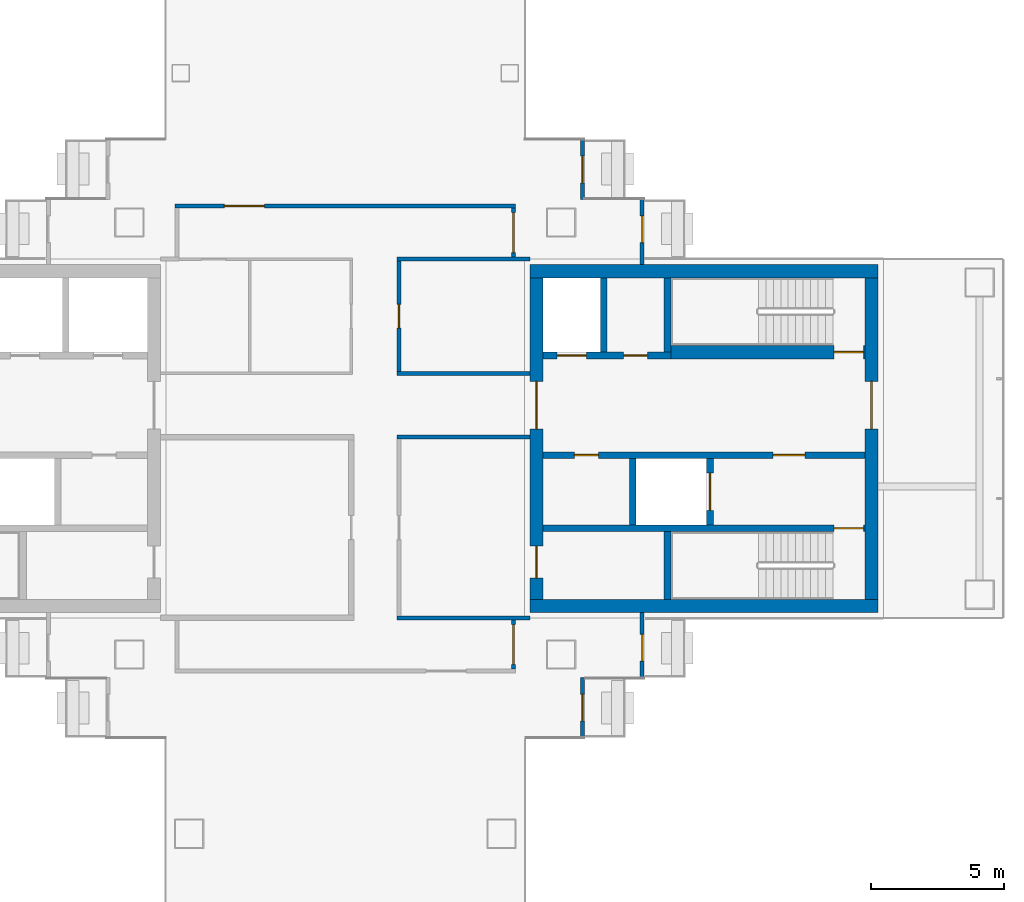
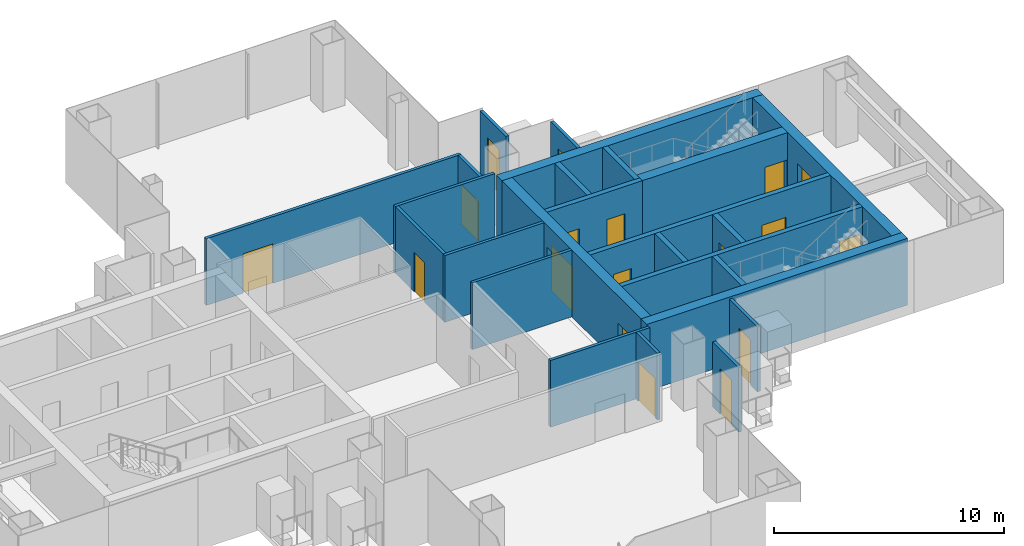
# One storey, part 12 of 16: 25 walls, 18 doors, 18 openings.
"""IFC4 building model written with IfcOpenShell, lengths in metres."""

from ifc_helpers import new_model, si_unit, direction, frame, frame_2d, origin, place, context, subcontext, project, spatial, rectangle, extrude, material, layer, layer_set, type_object, element, fill, save


model = new_model("IFC4")

# Units and contexts
model_context = context("Model", 3, precision=1e-05, world=origin(), true_north=direction((0.0, 1.0)))
body_context = subcontext(model_context, "Body", "Model", "MODEL_VIEW")
ifc_project = project(units=[si_unit("LENGTHUNIT", "METRE"), si_unit("AREAUNIT", "SQUARE_METRE"), si_unit("VOLUMEUNIT", "CUBIC_METRE"), si_unit("PLANEANGLEUNIT", "RADIAN"), si_unit("MASSUNIT", "GRAM", prefix="KILO")], contexts=[model_context])

# Site, building, storey
site_placement = place(None, origin())
site = spatial("IfcSite", under=ifc_project, at=site_placement, CompositionType="ELEMENT")
building_placement = place(site_placement, origin())
building = spatial("IfcBuilding", under=site, at=building_placement, Name="Shamsa Quay Exchange Towers", CompositionType="ELEMENT")
storey_placement = place(building_placement, frame((0.0, 0.0, 138.89990234375)))
storey = spatial("IfcBuildingStorey", under=building, at=storey_placement, Name="L32", CompositionType="ELEMENT", Elevation=138.89990234375)

# Wall, opening, door
ifc_material_1 = material(Name="Aluminium EN AW-6063 T6, black anodised, with black enamelled glass infill", Category="aluminium")
ifc_layer_1 = layer(ifc_material_1, 0.14990234375)
ifc_layer_set_1 = layer_set([ifc_layer_1], Name="BALCONY DOOR BAY WALL 150")
wall_type_1 = type_object("IfcWallType", Name="BALCONY DOOR BAY WALL 150", PredefinedType="SOLIDWALL", material=ifc_layer_set_1)
wall_1_placement = place(storey_placement, frame((42.675048828125, 11.25, 0.0), z_axis=(0.0, 0.0, 1.0), x_axis=(0.0, -1.0, 0.0)))
wall_1 = element("IfcWall", 1, at=wall_1_placement, inside=storey, type_object=wall_type_1, Name="Door bay T2-PKES L32", PredefinedType="SOLIDWALL", context=body_context, shape_type="SweptSolid", body=[
    extrude(rectangle(XDim=2.25, YDim=0.14990234375, at=frame_2d((1.125, 0.0))), origin(), (0.0, 0.0, 1.0), 3.4501953125),
])
opening_1_placement = place(wall_1_placement, frame((0.625, 0.0, 0.0)))
opening_1 = element("IfcOpeningElement", 2, at=opening_1_placement, cuts=wall_1, Name="Opening XD203", PredefinedType="OPENING", context=body_context, shape_type="SweptSolid", body=[
    extrude(rectangle(XDim=1.0, YDim=2.39990234375, at=frame_2d((0.5, 1.199951171875))), frame((0.0, 0.0849609375, 0.0), z_axis=(0.0, -1.0, 0.0), x_axis=(1.0, 0.0, 0.0)), (0.0, 0.0, 1.0), 0.169921875),
])
ifc_material_2 = material(Name="Aluminium EN AW-6063 T6, black anodised, with laminated glass leaf", Category="aluminium")
door_type_1 = type_object("IfcDoorType", Name="BALCONY DOOR 1000x2400", OperationType="SINGLE_SWING_LEFT", PredefinedType="DOOR", material=ifc_material_2)
door_1_placement = place(opening_1_placement, origin())
door_1 = element("IfcDoor", 3, at=door_1_placement, inside=storey, type_object=door_type_1, Name="Balcony door T2-PKES L32", OperationType="SINGLE_SWING_RIGHT", OverallHeight=2.39990234375, OverallWidth=1.0, PredefinedType="DOOR", context=body_context, shape_type="SweptSolid", body=[
    extrude(rectangle(XDim=1.0, YDim=2.39990234375, at=frame_2d((0.5, 1.199951171875))), frame((0.0, 0.02490234375, 0.0), z_axis=(0.0, -1.0, 0.0), x_axis=(1.0, 0.0, 0.0)), (0.0, 0.0, 1.0), 0.050048828125),
])
fill(opening_1, door_1)

wall_2_placement = place(storey_placement, frame((44.925048828125, 9.0, 0.0), z_axis=(0.0, 0.0, 1.0), x_axis=(0.0, -1.0, 0.0)))
wall_2 = element("IfcWall", 4, at=wall_2_placement, inside=storey, type_object=wall_type_1, Name="Door bay T2-PKES L32", PredefinedType="SOLIDWALL", context=body_context, shape_type="SweptSolid", body=[
    extrude(rectangle(XDim=2.45703125, YDim=0.14990234375, at=frame_2d((1.228515625, 0.0))), origin(), (0.0, 0.0, 1.0), 3.4501953125),
])
opening_2_placement = place(wall_2_placement, frame((0.625, 0.0, 0.0)))
opening_2 = element("IfcOpeningElement", 5, at=opening_2_placement, cuts=wall_2, Name="Opening XD204", PredefinedType="OPENING", context=body_context, shape_type="SweptSolid", body=[
    extrude(rectangle(XDim=1.0, YDim=2.39990234375, at=frame_2d((0.5, 1.199951171875))), frame((0.0, 0.0849609375, 0.0), z_axis=(0.0, -1.0, 0.0), x_axis=(1.0, 0.0, 0.0)), (0.0, 0.0, 1.0), 0.169921875),
])
door_2_placement = place(opening_2_placement, origin())
door_2 = element("IfcDoor", 6, at=door_2_placement, inside=storey, type_object=door_type_1, Name="Balcony door T2-PKES L32", OperationType="SINGLE_SWING_LEFT", OverallHeight=2.39990234375, OverallWidth=1.0, PredefinedType="DOOR", context=body_context, shape_type="SweptSolid", body=[
    extrude(rectangle(XDim=1.0, YDim=2.39990234375, at=frame_2d((0.5, 1.199951171875))), frame((0.0, 0.02490234375, 0.0), z_axis=(0.0, -1.0, 0.0), x_axis=(1.0, 0.0, 0.0)), (0.0, 0.0, 1.0), 0.050048828125),
])
fill(opening_2, door_2)

wall_3_placement = place(storey_placement, frame((42.675048828125, -9.0, 0.0), z_axis=(0.0, 0.0, 1.0), x_axis=(0.0, -1.0, 0.0)))
wall_3 = element("IfcWall", 7, at=wall_3_placement, inside=storey, type_object=wall_type_1, Name="Door bay T2-PKWS L32", PredefinedType="SOLIDWALL", context=body_context, shape_type="SweptSolid", body=[
    extrude(rectangle(XDim=2.25, YDim=0.14990234375, at=frame_2d((1.125, 0.0))), origin(), (0.0, 0.0, 1.0), 3.4501953125),
])
opening_3_placement = place(wall_3_placement, frame((0.625, 0.0, 0.0)))
opening_3 = element("IfcOpeningElement", 8, at=opening_3_placement, cuts=wall_3, Name="Opening XD207", PredefinedType="OPENING", context=body_context, shape_type="SweptSolid", body=[
    extrude(rectangle(XDim=1.0, YDim=2.39990234375, at=frame_2d((0.5, 1.199951171875))), frame((0.0, 0.0849609375, 0.0), z_axis=(0.0, -1.0, 0.0), x_axis=(1.0, 0.0, 0.0)), (0.0, 0.0, 1.0), 0.169921875),
])
door_3_placement = place(opening_3_placement, origin())
door_3 = element("IfcDoor", 9, at=door_3_placement, inside=storey, type_object=door_type_1, Name="Balcony door T2-PKWS L32", OperationType="SINGLE_SWING_LEFT", OverallHeight=2.39990234375, OverallWidth=1.0, PredefinedType="DOOR", context=body_context, shape_type="SweptSolid", body=[
    extrude(rectangle(XDim=1.0, YDim=2.39990234375, at=frame_2d((0.5, 1.199951171875))), frame((0.0, 0.02490234375, 0.0), z_axis=(0.0, -1.0, 0.0), x_axis=(1.0, 0.0, 0.0)), (0.0, 0.0, 1.0), 0.050048828125),
])
fill(opening_3, door_3)

wall_4_placement = place(storey_placement, frame((44.925048828125, -6.54296875, 0.0), z_axis=(0.0, 0.0, 1.0), x_axis=(0.0, -1.0, 0.0)))
wall_4 = element("IfcWall", 10, at=wall_4_placement, inside=storey, type_object=wall_type_1, Name="Door bay T2-PKWS L32", PredefinedType="SOLIDWALL", context=body_context, shape_type="SweptSolid", body=[
    extrude(rectangle(XDim=2.45703125, YDim=0.14990234375, at=frame_2d((1.228515625, 0.0))), origin(), (0.0, 0.0, 1.0), 3.4501953125),
])
opening_4_placement = place(wall_4_placement, frame((0.83203125, 0.0, 0.0)))
opening_4 = element("IfcOpeningElement", 11, at=opening_4_placement, cuts=wall_4, Name="Opening XD208", PredefinedType="OPENING", context=body_context, shape_type="SweptSolid", body=[
    extrude(rectangle(XDim=1.0, YDim=2.39990234375, at=frame_2d((0.5, 1.199951171875))), frame((0.0, 0.0849609375, 0.0), z_axis=(0.0, -1.0, 0.0), x_axis=(1.0, 0.0, 0.0)), (0.0, 0.0, 1.0), 0.169921875),
])
door_4_placement = place(opening_4_placement, origin())
door_4 = element("IfcDoor", 12, at=door_4_placement, inside=storey, type_object=door_type_1, Name="Balcony door T2-PKWS L32", OperationType="SINGLE_SWING_RIGHT", OverallHeight=2.39990234375, OverallWidth=1.0, PredefinedType="DOOR", context=body_context, shape_type="SweptSolid", body=[
    extrude(rectangle(XDim=1.0, YDim=2.39990234375, at=frame_2d((0.5, 1.199951171875))), frame((0.0, 0.02490234375, 0.0), z_axis=(0.0, -1.0, 0.0), x_axis=(1.0, 0.0, 0.0)), (0.0, 0.0, 1.0), 0.050048828125),
])
fill(opening_4, door_4)

# Walls
ifc_material_3 = material(Name="Concrete C60/75", Category="concrete")
ifc_layer_2 = layer(ifc_material_3, 0.5)
ifc_layer_set_2 = layer_set([ifc_layer_2], Name="CORE WALL 500 C60/75")
wall_type_2 = type_object("IfcWallType", Name="CORE WALL 500 C60/75", PredefinedType="SHEAR", material=ifc_layer_set_2)
for number, where, z_axis, x_axis, name in (
    (13, (53.800048828125, -6.300048828125, 0.0), (0.0, 0.0, 1.0), (-1.0, 0.0, 0.0), "Core wall T2B-R14-PS"),
    (14, (53.800048828125, 6.300048828125, 0.0), (0.0, 0.0, 1.0), (-1.0, 0.0, 0.0), "Core wall T2B-R14-PN"),
):
    element("IfcWall", number, at=place(storey_placement, frame(where, z_axis=z_axis, x_axis=x_axis)), inside=storey, type_object=wall_type_2, Name=name, PredefinedType="SHEAR", context=body_context, shape_type="SweptSolid", body=[
        extrude(rectangle(XDim=13.10009765625, YDim=0.5, at=frame_2d((6.550048828125, 0.0))), origin(), (0.0, 0.0, 1.0), 3.550048828125),
    ])

# Wall, opening, door
wall_5_placement = place(storey_placement, frame((53.550048828125, -6.050048828125, 0.0), z_axis=(0.0, 0.0, 1.0), x_axis=(0.0, 1.0, 0.0)))
wall_5 = element("IfcWall", 15, at=wall_5_placement, inside=storey, type_object=wall_type_2, Name="Core wall T2B-R14-PF", PredefinedType="SHEAR", context=body_context, shape_type="SweptSolid", body=[
    extrude(rectangle(XDim=12.10009765625, YDim=0.5, at=frame_2d((6.050048828125, 0.0))), origin(), (0.0, 0.0, 1.0), 3.550048828125),
])
opening_5_placement = place(wall_5_placement, frame((6.39990234375, 0.0, 0.0)))
opening_5 = element("IfcOpeningElement", 16, at=opening_5_placement, cuts=wall_5, Name="Opening T2B-R14-LBD01", PredefinedType="OPENING", context=body_context, shape_type="SweptSolid", body=[
    extrude(rectangle(XDim=1.800048828125, YDim=2.39990234375, at=frame_2d((0.89990234375, 1.199951171875))), frame((0.0, 0.260009765625, 0.0), z_axis=(0.0, -1.0, 0.0), x_axis=(1.0, 0.0, 0.0)), (0.0, 0.0, 1.0), 0.52001953125),
])
ifc_material_4 = material(Name="Steel, fire rated", Category="steel")
door_type_2 = type_object("IfcDoorType", Name="LIFT LOBBY DOOR PAIR 1800", OperationType="DOUBLE_DOOR_SINGLE_SWING", PredefinedType="DOOR", material=ifc_material_4)
door_5_placement = place(opening_5_placement, origin())
door_5 = element("IfcDoor", 17, at=door_5_placement, inside=storey, type_object=door_type_2, Name="T2B-R14-LBD01", OperationType="DOUBLE_DOOR_SINGLE_SWING", OverallHeight=2.39990234375, OverallWidth=1.800048828125, PredefinedType="DOOR", context=body_context, shape_type="SweptSolid", body=[
    extrude(rectangle(XDim=1.800048828125, YDim=2.39990234375, at=frame_2d((0.89990234375, 1.199951171875))), frame((0.0, 0.02490234375, 0.0), z_axis=(0.0, -1.0, 0.0), x_axis=(1.0, 0.0, 0.0)), (0.0, 0.0, 1.0), 0.050048828125),
])
fill(opening_5, door_5)

# Wall, openings, doors
wall_6_placement = place(storey_placement, frame((40.949951171875, -6.050048828125, 0.0), z_axis=(0.0, 0.0, 1.0), x_axis=(0.0, 1.0, 0.0)))
wall_6 = element("IfcWall", 18, at=wall_6_placement, inside=storey, type_object=wall_type_2, Name="Core wall T2B-R14-PB", PredefinedType="SHEAR", context=body_context, shape_type="SweptSolid", body=[
    extrude(rectangle(XDim=12.10009765625, YDim=0.5, at=frame_2d((6.050048828125, 0.0))), origin(), (0.0, 0.0, 1.0), 3.550048828125),
])
opening_6_placement = place(wall_6_placement, frame((0.800048828125, 0.0, 0.0)))
opening_6 = element("IfcOpeningElement", 19, at=opening_6_placement, cuts=wall_6, Name="Opening T2B-R14-RD02", PredefinedType="OPENING", context=body_context, shape_type="SweptSolid", body=[
    extrude(rectangle(XDim=1.199951171875, YDim=2.10009765625, at=frame_2d((0.60009765625, 1.050048828125))), frame((0.0, 0.260009765625, 0.0), z_axis=(0.0, -1.0, 0.0), x_axis=(1.0, 0.0, 0.0)), (0.0, 0.0, 1.0), 0.52001953125),
])
opening_7_placement = place(wall_6_placement, frame((6.39990234375, 0.0, 0.0)))
opening_7 = element("IfcOpeningElement", 20, at=opening_7_placement, cuts=wall_6, Name="Opening T2B-R14-LBD03", PredefinedType="OPENING", context=body_context, shape_type="SweptSolid", body=[
    extrude(rectangle(XDim=1.800048828125, YDim=2.39990234375, at=frame_2d((0.89990234375, 1.199951171875))), frame((0.0, 0.260009765625, 0.0), z_axis=(0.0, -1.0, 0.0), x_axis=(1.0, 0.0, 0.0)), (0.0, 0.0, 1.0), 0.52001953125),
])
door_6_placement = place(opening_7_placement, origin())
door_6 = element("IfcDoor", 21, at=door_6_placement, inside=storey, type_object=door_type_2, Name="T2B-R14-LBD03", OperationType="DOUBLE_DOOR_SINGLE_SWING", OverallHeight=2.39990234375, OverallWidth=1.800048828125, PredefinedType="DOOR", context=body_context, shape_type="SweptSolid", body=[
    extrude(rectangle(XDim=1.800048828125, YDim=2.39990234375, at=frame_2d((0.89990234375, 1.199951171875))), frame((0.0, 0.02490234375, 0.0), z_axis=(0.0, -1.0, 0.0), x_axis=(1.0, 0.0, 0.0)), (0.0, 0.0, 1.0), 0.050048828125),
])
fill(opening_7, door_6)
door_type_3 = type_object("IfcDoorType", Name="RISER ACCESS DOOR 1200", OperationType="SINGLE_SWING_LEFT", PredefinedType="DOOR", material=ifc_material_4)
door_7_placement = place(opening_6_placement, origin())
door_7 = element("IfcDoor", 22, at=door_7_placement, inside=storey, type_object=door_type_3, Name="T2B-R14-RD02", OperationType="SINGLE_SWING_LEFT", OverallHeight=2.10009765625, OverallWidth=1.199951171875, PredefinedType="DOOR", context=body_context, shape_type="SweptSolid", body=[
    extrude(rectangle(XDim=1.199951171875, YDim=2.10009765625, at=frame_2d((0.60009765625, 1.050048828125))), frame((0.0, 0.02490234375, 0.0), z_axis=(0.0, -1.0, 0.0), x_axis=(1.0, 0.0, 0.0)), (0.0, 0.0, 1.0), 0.050048828125),
])
fill(opening_6, door_7)

# Wall
ifc_material_5 = material(Name="Gypsum board partition on metal studs")
ifc_layer_3 = layer(ifc_material_5, 0.14990234375)
ifc_layer_set_3 = layer_set([ifc_layer_3], Name="Partition 150 mm EI 60")
wall_type_3 = type_object("IfcWallType", Name="Partition 150 mm EI 60", PredefinedType="PARTITIONING", material=ifc_layer_set_3)
wall_7_placement = place(storey_placement, frame((35.700439453125, 2.4501953125, 0.0)))
element("IfcWall", 23, at=wall_7_placement, inside=storey, type_object=wall_type_3, Name="Partition T2-R14-W07", PredefinedType="PARTITIONING", context=body_context, shape_type="SweptSolid", body=[
    extrude(rectangle(XDim=4.99951171875, YDim=0.14990234375, at=frame_2d((2.499755859375, 0.0))), origin(), (0.0, 0.0, 1.0), 3.550048828125),
])

# Wall, opening, door
wall_8_placement = place(storey_placement, frame((35.775390625, 6.675048828125, 0.0), z_axis=(0.0, 0.0, 1.0), x_axis=(0.0, -1.0, 0.0)))
wall_8 = element("IfcWall", 24, at=wall_8_placement, inside=storey, type_object=wall_type_3, Name="Partition T2-R14-W09", PredefinedType="PARTITIONING", context=body_context, shape_type="SweptSolid", body=[
    extrude(rectangle(XDim=4.14990234375, YDim=0.14990234375, at=frame_2d((2.074951171875, 0.0))), origin(), (0.0, 0.0, 1.0), 3.550048828125),
])
opening_8_placement = place(wall_8_placement, frame((1.625, 0.0, 0.0)))
opening_8 = element("IfcOpeningElement", 25, at=opening_8_placement, cuts=wall_8, Name="Opening T2-R14-D05", PredefinedType="OPENING", context=body_context, shape_type="SweptSolid", body=[
    extrude(rectangle(XDim=0.89990234375, YDim=2.10009765625, at=frame_2d((0.449951171875, 1.050048828125))), frame((0.0, 0.0849609375, 0.0), z_axis=(0.0, -1.0, 0.0), x_axis=(1.0, 0.0, 0.0)), (0.0, 0.0, 1.0), 0.169921875),
])
ifc_material_6 = material(Name="Timber door leaf in a metal frame", Category="wood")
door_type_4 = type_object("IfcDoorType", Name="Door 900x2100 FD30S", OperationType="NOTDEFINED", PredefinedType="DOOR", material=ifc_material_6)
door_8_placement = place(opening_8_placement, origin())
door_8 = element("IfcDoor", 26, at=door_8_placement, inside=storey, type_object=door_type_4, Name="Door T2-R14-D05", OperationType="SINGLE_SWING_RIGHT", OverallHeight=2.10009765625, OverallWidth=0.89990234375, PredefinedType="DOOR", context=body_context, shape_type="SweptSolid", body=[
    extrude(rectangle(XDim=0.89990234375, YDim=2.10009765625, at=frame_2d((0.449951171875, 1.050048828125))), frame((0.0, 0.02490234375, 0.0), z_axis=(0.0, -1.0, 0.0), x_axis=(1.0, 0.0, 0.0)), (0.0, 0.0, 1.0), 0.050048828125),
])
fill(opening_8, door_8)

# Walls
wall_9_placement = place(storey_placement, frame((40.699951171875, 6.75, 0.0), z_axis=(0.0, 0.0, 1.0), x_axis=(-1.0, 0.0, 0.0)))
element("IfcWall", 27, at=wall_9_placement, inside=storey, type_object=wall_type_3, Name="Partition T2-R14-W11", PredefinedType="PARTITIONING", context=body_context, shape_type="SweptSolid", body=[
    extrude(rectangle(XDim=4.99951171875, YDim=0.14990234375, at=frame_2d((2.499755859375, 0.0))), origin(), (0.0, 0.0, 1.0), 3.550048828125),
])
wall_10_placement = place(storey_placement, frame((35.700439453125, -6.75, 0.0)))
element("IfcWall", 28, at=wall_10_placement, inside=storey, type_object=wall_type_3, Name="Partition T2-R14-W12", PredefinedType="PARTITIONING", context=body_context, shape_type="SweptSolid", body=[
    extrude(rectangle(XDim=4.99951171875, YDim=0.14990234375, at=frame_2d((2.499755859375, 0.0))), origin(), (0.0, 0.0, 1.0), 3.550048828125),
])
wall_11_placement = place(storey_placement, frame((40.699951171875, 0.0498046875, 0.0), z_axis=(0.0, 0.0, 1.0), x_axis=(-1.0, 0.0, 0.0)))
element("IfcWall", 29, at=wall_11_placement, inside=storey, type_object=wall_type_3, Name="Partition T2-R14-W13", PredefinedType="PARTITIONING", context=body_context, shape_type="SweptSolid", body=[
    extrude(rectangle(XDim=4.99951171875, YDim=0.14990234375, at=frame_2d((2.499755859375, 0.0))), origin(), (0.0, 0.0, 1.0), 3.550048828125),
])

# Wall, opening, door
wall_12_placement = place(storey_placement, frame((40.0751953125, 6.824951171875, 0.0), z_axis=(0.0, 0.0, 1.0), x_axis=(0.0, 1.0, 0.0)))
wall_12 = element("IfcWall", 30, at=wall_12_placement, inside=storey, type_object=wall_type_3, Name="Partition T2-R14-W14", PredefinedType="PARTITIONING", context=body_context, shape_type="SweptSolid", body=[
    extrude(rectangle(XDim=1.85009765625, YDim=0.14990234375, at=frame_2d((0.925048828125, 0.0))), origin(), (0.0, 0.0, 1.0), 3.550048828125),
])
opening_9_placement = place(wall_12_placement, frame((0.175048828125, 0.0, 0.0)))
opening_9 = element("IfcOpeningElement", 31, at=opening_9_placement, cuts=wall_12, Name="Opening T2-R14-D03", PredefinedType="OPENING", context=body_context, shape_type="SweptSolid", body=[
    extrude(rectangle(XDim=1.5, YDim=2.10009765625, at=frame_2d((0.75, 1.050048828125))), frame((0.0, 0.0849609375, 0.0), z_axis=(0.0, -1.0, 0.0), x_axis=(1.0, 0.0, 0.0)), (0.0, 0.0, 1.0), 0.169921875),
])
door_type_5 = type_object("IfcDoorType", Name="Door 1500x2100 FD30S pair", OperationType="NOTDEFINED", PredefinedType="DOOR", material=ifc_material_6)
door_9_placement = place(opening_9_placement, origin())
door_9 = element("IfcDoor", 32, at=door_9_placement, inside=storey, type_object=door_type_5, Name="Door T2-R14-D03", OperationType="DOUBLE_DOOR_SINGLE_SWING", OverallHeight=2.10009765625, OverallWidth=1.5, PredefinedType="DOOR", context=body_context, shape_type="SweptSolid", body=[
    extrude(rectangle(XDim=1.5, YDim=2.10009765625, at=frame_2d((0.75, 1.050048828125))), frame((0.0, 0.02490234375, 0.0), z_axis=(0.0, -1.0, 0.0), x_axis=(1.0, 0.0, 0.0)), (0.0, 0.0, 1.0), 0.050048828125),
])
fill(opening_9, door_9)

wall_13_placement = place(storey_placement, frame((40.0751953125, -8.675048828125, 0.0), z_axis=(0.0, 0.0, 1.0), x_axis=(0.0, 1.0, 0.0)))
wall_13 = element("IfcWall", 33, at=wall_13_placement, inside=storey, type_object=wall_type_3, Name="Partition T2-R14-W15", PredefinedType="PARTITIONING", context=body_context, shape_type="SweptSolid", body=[
    extrude(rectangle(XDim=1.85009765625, YDim=0.14990234375, at=frame_2d((0.925048828125, 0.0))), origin(), (0.0, 0.0, 1.0), 3.550048828125),
])
opening_10_placement = place(wall_13_placement, frame((0.175048828125, 0.0, 0.0)))
opening_10 = element("IfcOpeningElement", 34, at=opening_10_placement, cuts=wall_13, Name="Opening T2-R14-D02", PredefinedType="OPENING", context=body_context, shape_type="SweptSolid", body=[
    extrude(rectangle(XDim=1.5, YDim=2.10009765625, at=frame_2d((0.75, 1.050048828125))), frame((0.0, 0.0849609375, 0.0), z_axis=(0.0, -1.0, 0.0), x_axis=(1.0, 0.0, 0.0)), (0.0, 0.0, 1.0), 0.169921875),
])
door_10_placement = place(opening_10_placement, origin())
door_10 = element("IfcDoor", 35, at=door_10_placement, inside=storey, type_object=door_type_5, Name="Door T2-R14-D02", OperationType="DOUBLE_DOOR_SINGLE_SWING", OverallHeight=2.10009765625, OverallWidth=1.5, PredefinedType="DOOR", context=body_context, shape_type="SweptSolid", body=[
    extrude(rectangle(XDim=1.5, YDim=2.10009765625, at=frame_2d((0.75, 1.050048828125))), frame((0.0, 0.02490234375, 0.0), z_axis=(0.0, -1.0, 0.0), x_axis=(1.0, 0.0, 0.0)), (0.0, 0.0, 1.0), 0.050048828125),
])
fill(opening_10, door_10)

wall_14_placement = place(storey_placement, frame((40.150146484375, 8.75, 0.0), z_axis=(0.0, 0.0, 1.0), x_axis=(-1.0, 0.0, 0.0)))
wall_14 = element("IfcWall", 36, at=wall_14_placement, inside=storey, type_object=wall_type_3, Name="Partition T2-R14-W16", PredefinedType="PARTITIONING", context=body_context, shape_type="SweptSolid", body=[
    extrude(rectangle(XDim=12.80029296875, YDim=0.14990234375, at=frame_2d((6.400146484375, 0.0))), origin(), (0.0, 0.0, 1.0), 3.550048828125),
])
opening_11_placement = place(wall_14_placement, frame((9.4453125, 0.0, 0.0)))
opening_11 = element("IfcOpeningElement", 37, at=opening_11_placement, cuts=wall_14, Name="Opening T2-R14-D09", PredefinedType="OPENING", context=body_context, shape_type="SweptSolid", body=[
    extrude(rectangle(XDim=1.5, YDim=2.10009765625, at=frame_2d((0.75, 1.050048828125))), frame((0.0, 0.0849609375, 0.0), z_axis=(0.0, -1.0, 0.0), x_axis=(1.0, 0.0, 0.0)), (0.0, 0.0, 1.0), 0.169921875),
])
door_11_placement = place(opening_11_placement, origin())
door_11 = element("IfcDoor", 38, at=door_11_placement, inside=storey, type_object=door_type_5, Name="Door T2-R14-D09", OperationType="DOUBLE_DOOR_SINGLE_SWING", OverallHeight=2.10009765625, OverallWidth=1.5, PredefinedType="DOOR", context=body_context, shape_type="SweptSolid", body=[
    extrude(rectangle(XDim=1.5, YDim=2.10009765625, at=frame_2d((0.75, 1.050048828125))), frame((0.0, 0.02490234375, 0.0), z_axis=(0.0, -1.0, 0.0), x_axis=(1.0, 0.0, 0.0)), (0.0, 0.0, 1.0), 0.050048828125),
])
fill(opening_11, door_11)

ifc_material_7 = material(Name="Concrete C50/60", Category="concrete")
ifc_layer_4 = layer(ifc_material_7, 0.25)
ifc_layer_set_4 = layer_set([ifc_layer_4], Name="SHAFT WALL 250 C50/60")
wall_type_4 = type_object("IfcWallType", Name="SHAFT WALL 250 C50/60", PredefinedType="SHEAR", material=ifc_layer_set_4)
wall_15_placement = place(storey_placement, frame((53.300048828125, -3.375, 0.0), z_axis=(0.0, 0.0, 1.0), x_axis=(-1.0, 0.0, 0.0)))
wall_15 = element("IfcWall", 39, at=wall_15_placement, inside=storey, type_object=wall_type_4, Name="Shaft wall T2B-R14-STL", PredefinedType="SHEAR", context=body_context, shape_type="SweptSolid", body=[
    extrude(rectangle(XDim=12.10009765625, YDim=0.25, at=frame_2d((6.050048828125, 0.0))), origin(), (0.0, 0.0, 1.0), 3.550048828125),
])
opening_12_placement = place(wall_15_placement, frame((0.050048828125, 0.0, 0.0)))
opening_12 = element("IfcOpeningElement", 40, at=opening_12_placement, cuts=wall_15, Name="Opening T2B-R14-SD04", PredefinedType="OPENING", context=body_context, shape_type="SweptSolid", body=[
    extrude(rectangle(XDim=1.10009765625, YDim=2.10009765625, at=frame_2d((0.550048828125, 1.050048828125))), frame((0.0, 0.135009765625, 0.0), z_axis=(0.0, -1.0, 0.0), x_axis=(1.0, 0.0, 0.0)), (0.0, 0.0, 1.0), 0.27001953125),
])
door_type_6 = type_object("IfcDoorType", Name="STAIR DOOR 1100", OperationType="SINGLE_SWING_LEFT", PredefinedType="DOOR", material=ifc_material_4)
door_12_placement = place(opening_12_placement, origin())
door_12 = element("IfcDoor", 41, at=door_12_placement, inside=storey, type_object=door_type_6, Name="T2B-R14-SD04", OperationType="SINGLE_SWING_LEFT", OverallHeight=2.10009765625, OverallWidth=1.10009765625, PredefinedType="DOOR", context=body_context, shape_type="SweptSolid", body=[
    extrude(rectangle(XDim=1.10009765625, YDim=2.10009765625, at=frame_2d((0.550048828125, 1.050048828125))), frame((0.0, 0.02490234375, 0.0), z_axis=(0.0, -1.0, 0.0), x_axis=(1.0, 0.0, 0.0)), (0.0, 0.0, 1.0), 0.050048828125),
])
fill(opening_12, door_12)

# Wall
wall_16_placement = place(storey_placement, frame((45.875, -6.050048828125, 0.0), z_axis=(0.0, 0.0, 1.0), x_axis=(0.0, 1.0, 0.0)))
element("IfcWall", 42, at=wall_16_placement, inside=storey, type_object=wall_type_4, Name="Shaft wall T2B-R14-STF", PredefinedType="SHEAR", context=body_context, shape_type="SweptSolid", body=[
    extrude(rectangle(XDim=2.550048828125, YDim=0.25, at=frame_2d((1.27490234375, 0.0))), origin(), (0.0, 0.0, 1.0), 3.550048828125),
])

# Wall, openings, doors
wall_17_placement = place(storey_placement, frame((53.300048828125, -0.625, 0.0), z_axis=(0.0, 0.0, 1.0), x_axis=(-1.0, 0.0, 0.0)))
wall_17 = element("IfcWall", 43, at=wall_17_placement, inside=storey, type_object=wall_type_4, Name="Shaft wall T2B-R14-B", PredefinedType="SHEAR", context=body_context, shape_type="SweptSolid", body=[
    extrude(rectangle(XDim=12.10009765625, YDim=0.25, at=frame_2d((6.050048828125, 0.0))), origin(), (0.0, 0.0, 1.0), 3.550048828125),
])
opening_13_placement = place(wall_17_placement, frame((2.25, 0.0, 0.0)))
opening_13 = element("IfcOpeningElement", 44, at=opening_13_placement, cuts=wall_17, Name="Opening T2B-R14-FD05", PredefinedType="OPENING", context=body_context, shape_type="SweptSolid", body=[
    extrude(rectangle(XDim=1.199951171875, YDim=2.10009765625, at=frame_2d((0.60009765625, 1.050048828125))), frame((0.0, 0.135009765625, 0.0), z_axis=(0.0, -1.0, 0.0), x_axis=(1.0, 0.0, 0.0)), (0.0, 0.0, 1.0), 0.27001953125),
])
opening_14_placement = place(wall_17_placement, frame((10.02490234375, 0.0, 0.0)))
opening_14 = element("IfcOpeningElement", 45, at=opening_14_placement, cuts=wall_17, Name="Opening T2B-R14-SV06", PredefinedType="OPENING", context=body_context, shape_type="SweptSolid", body=[
    extrude(rectangle(XDim=0.89990234375, YDim=2.10009765625, at=frame_2d((0.449951171875, 1.050048828125))), frame((0.0, 0.135009765625, 0.0), z_axis=(0.0, -1.0, 0.0), x_axis=(1.0, 0.0, 0.0)), (0.0, 0.0, 1.0), 0.27001953125),
])
door_type_7 = type_object("IfcDoorType", Name="FIRE SERVICE LOBBY DOOR 1200", OperationType="SINGLE_SWING_LEFT", PredefinedType="DOOR", material=ifc_material_4)
door_13_placement = place(opening_13_placement, origin())
door_13 = element("IfcDoor", 46, at=door_13_placement, inside=storey, type_object=door_type_7, Name="T2B-R14-FD05", OperationType="SINGLE_SWING_LEFT", OverallHeight=2.10009765625, OverallWidth=1.199951171875, PredefinedType="DOOR", context=body_context, shape_type="SweptSolid", body=[
    extrude(rectangle(XDim=1.199951171875, YDim=2.10009765625, at=frame_2d((0.60009765625, 1.050048828125))), frame((0.0, 0.02490234375, 0.0), z_axis=(0.0, -1.0, 0.0), x_axis=(1.0, 0.0, 0.0)), (0.0, 0.0, 1.0), 0.050048828125),
])
fill(opening_13, door_13)
door_type_8 = type_object("IfcDoorType", Name="SERVICE ROOM DOOR 900", OperationType="SINGLE_SWING_LEFT", PredefinedType="DOOR", material=ifc_material_4)
door_14_placement = place(opening_14_placement, origin())
door_14 = element("IfcDoor", 47, at=door_14_placement, inside=storey, type_object=door_type_8, Name="T2B-R14-SV06", OperationType="SINGLE_SWING_RIGHT", OverallHeight=2.10009765625, OverallWidth=0.89990234375, PredefinedType="DOOR", context=body_context, shape_type="SweptSolid", body=[
    extrude(rectangle(XDim=0.89990234375, YDim=2.10009765625, at=frame_2d((0.449951171875, 1.050048828125))), frame((0.0, 0.02490234375, 0.0), z_axis=(0.0, -1.0, 0.0), x_axis=(1.0, 0.0, 0.0)), (0.0, 0.0, 1.0), 0.050048828125),
])
fill(opening_14, door_14)

# Wall, opening, door
wall_18_placement = place(storey_placement, frame((47.47509765625, -3.25, 0.0), z_axis=(0.0, 0.0, 1.0), x_axis=(0.0, 1.0, 0.0)))
wall_18 = element("IfcWall", 48, at=wall_18_placement, inside=storey, type_object=wall_type_4, Name="Shaft wall T2B-R14-FFF", PredefinedType="SHEAR", context=body_context, shape_type="SweptSolid", body=[
    extrude(rectangle(XDim=2.5, YDim=0.25, at=frame_2d((1.25, 0.0))), origin(), (0.0, 0.0, 1.0), 3.550048828125),
])
opening_15_placement = place(wall_18_placement, frame((0.550048828125, 0.0, 0.0)))
opening_15 = element("IfcOpeningElement", 49, at=opening_15_placement, cuts=wall_18, Name="Opening T2B-R14-LDG07", PredefinedType="OPENING", context=body_context, shape_type="SweptSolid", body=[
    extrude(rectangle(XDim=1.39990234375, YDim=2.39990234375, at=frame_2d((0.699951171875, 1.199951171875))), frame((0.0, 0.135009765625, 0.0), z_axis=(0.0, -1.0, 0.0), x_axis=(1.0, 0.0, 0.0)), (0.0, 0.0, 1.0), 0.27001953125),
])
door_type_9 = type_object("IfcDoorType", Name="GOODS LIFT LANDING DOOR 1400", OperationType="SLIDING_TO_LEFT", PredefinedType="DOOR", material=ifc_material_4)
door_15_placement = place(opening_15_placement, origin())
door_15 = element("IfcDoor", 50, at=door_15_placement, inside=storey, type_object=door_type_9, Name="T2B-R14-LDG07", OperationType="SLIDING_TO_LEFT", OverallHeight=2.39990234375, OverallWidth=1.39990234375, PredefinedType="DOOR", context=body_context, shape_type="SweptSolid", body=[
    extrude(rectangle(XDim=1.39990234375, YDim=2.39990234375, at=frame_2d((0.699951171875, 1.199951171875))), frame((0.0, 0.02490234375, 0.0), z_axis=(0.0, -1.0, 0.0), x_axis=(1.0, 0.0, 0.0)), (0.0, 0.0, 1.0), 0.050048828125),
])
fill(opening_15, door_15)

# Wall
wall_19_placement = place(storey_placement, frame((44.574951171875, -3.25, 0.0), z_axis=(0.0, 0.0, 1.0), x_axis=(0.0, 1.0, 0.0)))
element("IfcWall", 51, at=wall_19_placement, inside=storey, type_object=wall_type_4, Name="Shaft wall T2B-R14-FFB", PredefinedType="SHEAR", context=body_context, shape_type="SweptSolid", body=[
    extrude(rectangle(XDim=2.5, YDim=0.25, at=frame_2d((1.25, 0.0))), origin(), (0.0, 0.0, 1.0), 3.550048828125),
])

# Wall, openings, doors
wall_20_placement = place(storey_placement, frame((41.199951171875, 3.125, 0.0)))
wall_20 = element("IfcWall", 52, at=wall_20_placement, inside=storey, type_object=wall_type_4, Name="Shaft wall T2B-R14-N2", PredefinedType="SHEAR", context=body_context, shape_type="SweptSolid", body=[
    extrude(rectangle(XDim=4.800048828125, YDim=0.25, at=frame_2d((2.39990234375, 0.0))), origin(), (0.0, 0.0, 1.0), 3.550048828125),
])
opening_16_placement = place(wall_20_placement, frame((0.52490234375, 0.0, 0.0)))
opening_16 = element("IfcOpeningElement", 53, at=opening_16_placement, cuts=wall_20, Name="Opening T2B-R14-LD09", PredefinedType="OPENING", context=body_context, shape_type="SweptSolid", body=[
    extrude(rectangle(XDim=1.10009765625, YDim=2.10009765625, at=frame_2d((0.550048828125, 1.050048828125))), frame((0.0, 0.135009765625, 0.0), z_axis=(0.0, -1.0, 0.0), x_axis=(1.0, 0.0, 0.0)), (0.0, 0.0, 1.0), 0.27001953125),
])
opening_17_placement = place(wall_20_placement, frame((3.02490234375, 0.0, 0.0)))
opening_17 = element("IfcOpeningElement", 54, at=opening_17_placement, cuts=wall_20, Name="Opening T2B-R14-SV10", PredefinedType="OPENING", context=body_context, shape_type="SweptSolid", body=[
    extrude(rectangle(XDim=0.89990234375, YDim=2.10009765625, at=frame_2d((0.449951171875, 1.050048828125))), frame((0.0, 0.135009765625, 0.0), z_axis=(0.0, -1.0, 0.0), x_axis=(1.0, 0.0, 0.0)), (0.0, 0.0, 1.0), 0.27001953125),
])
door_type_10 = type_object("IfcDoorType", Name="LANDING DOOR 1100", OperationType="SLIDING_TO_LEFT", PredefinedType="DOOR", material=ifc_material_4)
door_16_placement = place(opening_16_placement, origin())
door_16 = element("IfcDoor", 55, at=door_16_placement, inside=storey, type_object=door_type_10, Name="T2B-R14-LD09", OperationType="SLIDING_TO_LEFT", OverallHeight=2.10009765625, OverallWidth=1.10009765625, PredefinedType="DOOR", context=body_context, shape_type="SweptSolid", body=[
    extrude(rectangle(XDim=1.10009765625, YDim=2.10009765625, at=frame_2d((0.550048828125, 1.050048828125))), frame((0.0, 0.02490234375, 0.0), z_axis=(0.0, -1.0, 0.0), x_axis=(1.0, 0.0, 0.0)), (0.0, 0.0, 1.0), 0.050048828125),
])
fill(opening_16, door_16)
door_17_placement = place(opening_17_placement, origin())
door_17 = element("IfcDoor", 56, at=door_17_placement, inside=storey, type_object=door_type_8, Name="T2B-R14-SV10", OperationType="SINGLE_SWING_RIGHT", OverallHeight=2.10009765625, OverallWidth=0.89990234375, PredefinedType="DOOR", context=body_context, shape_type="SweptSolid", body=[
    extrude(rectangle(XDim=0.89990234375, YDim=2.10009765625, at=frame_2d((0.449951171875, 1.050048828125))), frame((0.0, 0.02490234375, 0.0), z_axis=(0.0, -1.0, 0.0), x_axis=(1.0, 0.0, 0.0)), (0.0, 0.0, 1.0), 0.050048828125),
])
fill(opening_17, door_17)

# Walls
for number, where, z_axis, x_axis, name in (
    (57, (45.875, 3.25, 0.0), (0.0, 0.0, 1.0), (0.0, 1.0, 0.0), "Shaft wall T2B-R14-STF2"),
    (58, (43.47509765625, 3.25, 0.0), (0.0, 0.0, 1.0), (0.0, 1.0, 0.0), "Shaft wall T2B-R14-D0"),
):
    element("IfcWall", number, at=place(storey_placement, frame(where, z_axis=z_axis, x_axis=x_axis)), inside=storey, type_object=wall_type_4, Name=name, PredefinedType="SHEAR", context=body_context, shape_type="SweptSolid", body=[
        extrude(rectangle(XDim=2.800048828125, YDim=0.25, at=frame_2d((1.39990234375, 0.0))), origin(), (0.0, 0.0, 1.0), 3.550048828125),
    ])

# Wall, opening, door
ifc_layer_5 = layer(ifc_material_7, 0.5)
ifc_layer_set_5 = layer_set([ifc_layer_5], Name="SHAFT WALL 500 C50/60")
wall_type_5 = type_object("IfcWallType", Name="SHAFT WALL 500 C50/60", PredefinedType="SHEAR", material=ifc_layer_set_5)
wall_21_placement = place(storey_placement, frame((46.0, 3.25, 0.0)))
wall_21 = element("IfcWall", 59, at=wall_21_placement, inside=storey, type_object=wall_type_5, Name="Shaft wall T2B-R14-N", PredefinedType="SHEAR", context=body_context, shape_type="SweptSolid", body=[
    extrude(rectangle(XDim=7.300048828125, YDim=0.5, at=frame_2d((3.64990234375, 0.0))), origin(), (0.0, 0.0, 1.0), 3.550048828125),
])
opening_18_placement = place(wall_21_placement, frame((6.14990234375, 0.0, 0.0)))
opening_18 = element("IfcOpeningElement", 60, at=opening_18_placement, cuts=wall_21, Name="Opening T2B-R14-SD08", PredefinedType="OPENING", context=body_context, shape_type="SweptSolid", body=[
    extrude(rectangle(XDim=1.10009765625, YDim=2.10009765625, at=frame_2d((0.550048828125, 1.050048828125))), frame((0.0, 0.260009765625, 0.0), z_axis=(0.0, -1.0, 0.0), x_axis=(1.0, 0.0, 0.0)), (0.0, 0.0, 1.0), 0.52001953125),
])
door_18_placement = place(opening_18_placement, origin())
door_18 = element("IfcDoor", 61, at=door_18_placement, inside=storey, type_object=door_type_6, Name="T2B-R14-SD08", OperationType="SINGLE_SWING_RIGHT", OverallHeight=2.10009765625, OverallWidth=1.10009765625, PredefinedType="DOOR", context=body_context, shape_type="SweptSolid", body=[
    extrude(rectangle(XDim=1.10009765625, YDim=2.10009765625, at=frame_2d((0.550048828125, 1.050048828125))), frame((0.0, 0.02490234375, 0.0), z_axis=(0.0, -1.0, 0.0), x_axis=(1.0, 0.0, 0.0)), (0.0, 0.0, 1.0), 0.050048828125),
])
fill(opening_18, door_18)

save(model, "model.ifc")
